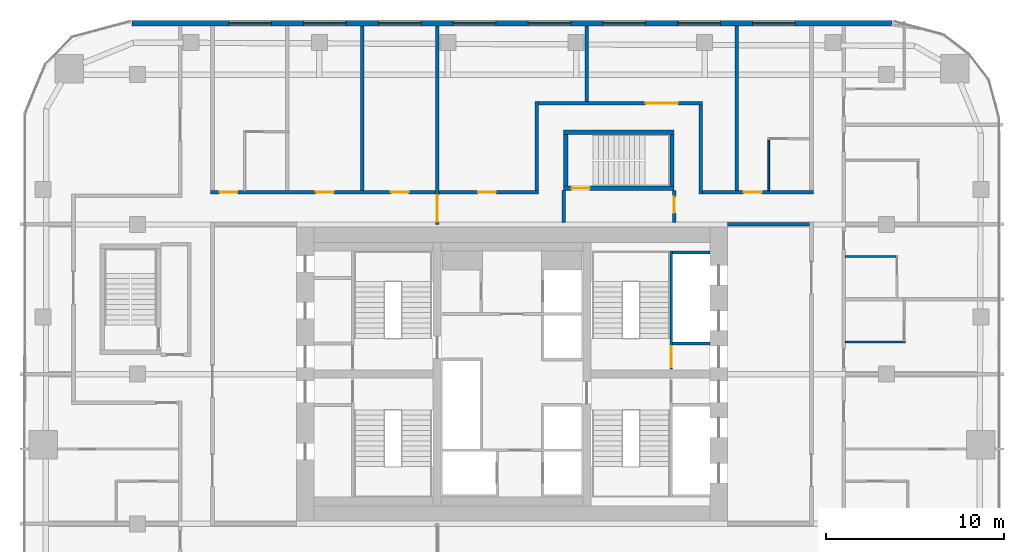
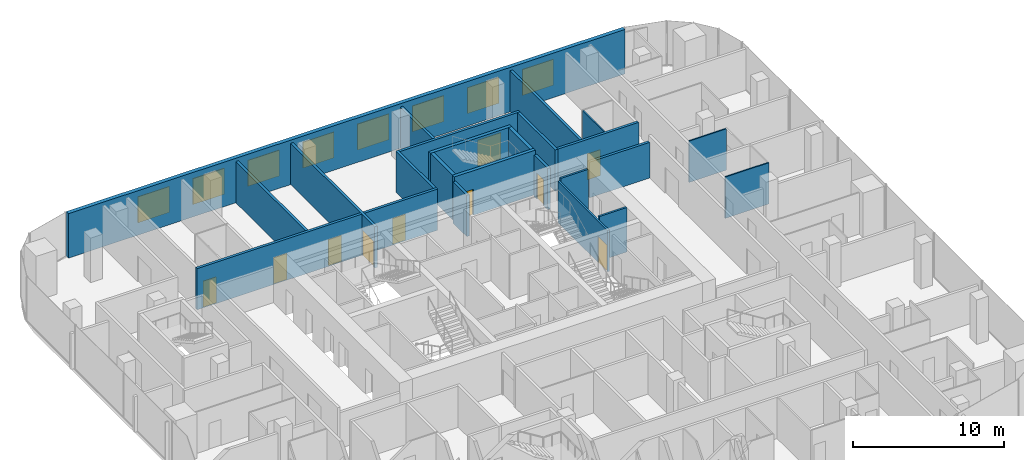
# One storey, part 19 of 23: 23 walls, 10 doors, 8 windows, 18 openings.
"""IFC4 building model written with IfcOpenShell, lengths in metres."""

from ifc_helpers import new_model, si_unit, direction, frame, frame_2d, origin, place, context, subcontext, project, spatial, rectangle, extrude, material, layer, layer_set, type_object, element, fill, save


model = new_model("IFC4")

# Units and contexts
model_context = context("Model", 3, precision=1e-05, world=origin(), true_north=direction((0.0, 1.0)))
body_context = subcontext(model_context, "Body", "Model", "MODEL_VIEW")
ifc_project = project(units=[si_unit("LENGTHUNIT", "METRE"), si_unit("AREAUNIT", "SQUARE_METRE"), si_unit("VOLUMEUNIT", "CUBIC_METRE"), si_unit("PLANEANGLEUNIT", "RADIAN"), si_unit("MASSUNIT", "GRAM", prefix="KILO")], contexts=[model_context])

# Site, building, storey
site_placement = place(None, origin())
site = spatial("IfcSite", under=ifc_project, at=site_placement, CompositionType="ELEMENT")
building_placement = place(site_placement, origin())
building = spatial("IfcBuilding", under=site, at=building_placement, Name="Marenta Gate Hotel Tower", CompositionType="ELEMENT")
storey_placement = place(building_placement, frame((0.0, 0.0, 162.5)))
storey = spatial("IfcBuildingStorey", under=building, at=storey_placement, Name="L38", CompositionType="ELEMENT", Elevation=162.5)

# Wall, openings, windows
ifc_material_1 = material(Name="Concrete C40 board-marked", Category="concrete")
ifc_layer_1 = layer(ifc_material_1, 0.300048828125)
ifc_layer_set_1 = layer_set([ifc_layer_1], Name="Concrete C40 board-marked")
wall_type_1 = type_object("IfcWallType", Name="Board-marked concrete wall 300 mm", PredefinedType="NOTDEFINED", material=ifc_layer_set_1)
wall_1_placement = place(storey_placement, frame((21.305908203125, 28.090087890625, 0.0), z_axis=(0.0, 0.0, 1.0), x_axis=(-1.0, 0.0, 0.0)))
wall_1 = element("IfcWall", 1, at=wall_1_placement, inside=storey, type_object=wall_type_1, Name="L38-CLD-N00", PredefinedType="NOTDEFINED", context=body_context, shape_type="SweptSolid", body=[
    extrude(rectangle(XDim=42.61181640625, YDim=0.300048828125, at=frame_2d((21.305908203125, 0.0))), origin(), (0.0, 0.0, 1.0), 3.60009765625),
])
opening_1_placement = place(wall_1_placement, frame((5.406005859375, 0.0, 0.89990234375)))
opening_1 = element("IfcOpeningElement", 2, at=opening_1_placement, cuts=wall_1, Name="Opening W1", PredefinedType="OPENING", context=body_context, shape_type="SweptSolid", body=[
    extrude(rectangle(XDim=2.39990234375, YDim=2.10009765625, at=frame_2d((1.199951171875, 1.050048828125))), frame((0.0, 0.14990234375, 0.0), z_axis=(0.0, -1.0, 0.0), x_axis=(1.0, 0.0, 0.0)), (0.0, 0.0, 1.0), 0.300048828125),
])
opening_2_placement = place(wall_1_placement, frame((9.60595703125, 0.0, 0.89990234375)))
opening_2 = element("IfcOpeningElement", 3, at=opening_2_placement, cuts=wall_1, Name="Opening W1", PredefinedType="OPENING", context=body_context, shape_type="SweptSolid", body=[
    extrude(rectangle(XDim=2.39990234375, YDim=2.10009765625, at=frame_2d((1.199951171875, 1.050048828125))), frame((0.0, 0.14990234375, 0.0), z_axis=(0.0, -1.0, 0.0), x_axis=(1.0, 0.0, 0.0)), (0.0, 0.0, 1.0), 0.300048828125),
])
opening_3_placement = place(wall_1_placement, frame((13.805908203125, 0.0, 0.89990234375)))
opening_3 = element("IfcOpeningElement", 4, at=opening_3_placement, cuts=wall_1, Name="Opening W1", PredefinedType="OPENING", context=body_context, shape_type="SweptSolid", body=[
    extrude(rectangle(XDim=2.39990234375, YDim=2.10009765625, at=frame_2d((1.199951171875, 1.050048828125))), frame((0.0, 0.14990234375, 0.0), z_axis=(0.0, -1.0, 0.0), x_axis=(1.0, 0.0, 0.0)), (0.0, 0.0, 1.0), 0.300048828125),
])
opening_4_placement = place(wall_1_placement, frame((18.005859375, 0.0, 0.89990234375)))
opening_4 = element("IfcOpeningElement", 5, at=opening_4_placement, cuts=wall_1, Name="Opening W1", PredefinedType="OPENING", context=body_context, shape_type="SweptSolid", body=[
    extrude(rectangle(XDim=2.39990234375, YDim=2.10009765625, at=frame_2d((1.199951171875, 1.050048828125))), frame((0.0, 0.14990234375, 0.0), z_axis=(0.0, -1.0, 0.0), x_axis=(1.0, 0.0, 0.0)), (0.0, 0.0, 1.0), 0.300048828125),
])
opening_5_placement = place(wall_1_placement, frame((22.205810546875, 0.0, 0.89990234375)))
opening_5 = element("IfcOpeningElement", 6, at=opening_5_placement, cuts=wall_1, Name="Opening W1", PredefinedType="OPENING", context=body_context, shape_type="SweptSolid", body=[
    extrude(rectangle(XDim=2.39990234375, YDim=2.10009765625, at=frame_2d((1.199951171875, 1.050048828125))), frame((0.0, 0.14990234375, 0.0), z_axis=(0.0, -1.0, 0.0), x_axis=(1.0, 0.0, 0.0)), (0.0, 0.0, 1.0), 0.300048828125),
])
opening_6_placement = place(wall_1_placement, frame((26.406005859375, 0.0, 0.89990234375)))
opening_6 = element("IfcOpeningElement", 7, at=opening_6_placement, cuts=wall_1, Name="Opening W1", PredefinedType="OPENING", context=body_context, shape_type="SweptSolid", body=[
    extrude(rectangle(XDim=2.39990234375, YDim=2.10009765625, at=frame_2d((1.199951171875, 1.050048828125))), frame((0.0, 0.14990234375, 0.0), z_axis=(0.0, -1.0, 0.0), x_axis=(1.0, 0.0, 0.0)), (0.0, 0.0, 1.0), 0.300048828125),
])
opening_7_placement = place(wall_1_placement, frame((30.60595703125, 0.0, 0.89990234375)))
opening_7 = element("IfcOpeningElement", 8, at=opening_7_placement, cuts=wall_1, Name="Opening W1", PredefinedType="OPENING", context=body_context, shape_type="SweptSolid", body=[
    extrude(rectangle(XDim=2.39990234375, YDim=2.10009765625, at=frame_2d((1.199951171875, 1.050048828125))), frame((0.0, 0.14990234375, 0.0), z_axis=(0.0, -1.0, 0.0), x_axis=(1.0, 0.0, 0.0)), (0.0, 0.0, 1.0), 0.300048828125),
])
opening_8_placement = place(wall_1_placement, frame((34.805908203125, 0.0, 0.89990234375)))
opening_8 = element("IfcOpeningElement", 9, at=opening_8_placement, cuts=wall_1, Name="Opening W1", PredefinedType="OPENING", context=body_context, shape_type="SweptSolid", body=[
    extrude(rectangle(XDim=2.39990234375, YDim=2.10009765625, at=frame_2d((1.199951171875, 1.050048828125))), frame((0.0, 0.14990234375, 0.0), z_axis=(0.0, -1.0, 0.0), x_axis=(1.0, 0.0, 0.0)), (0.0, 0.0, 1.0), 0.300048828125),
])
ifc_material_2 = material(Name="Tinted insulated glass in bronze anodised frame", Category="glass")
window_type = type_object("IfcWindowType", Name="Window W1 2400x2100 bronze frame", PartitioningType="SINGLE_PANEL", PredefinedType="WINDOW", material=ifc_material_2)
window_1_placement = place(opening_1_placement, origin())
window_1 = element("IfcWindow", 10, at=window_1_placement, inside=storey, type_object=window_type, Name="Window W1", OverallHeight=2.10009765625, OverallWidth=2.39990234375, PartitioningType="SINGLE_PANEL", PredefinedType="WINDOW", context=body_context, shape_type="SweptSolid", body=[
    extrude(rectangle(XDim=2.39990234375, YDim=2.10009765625, at=frame_2d((1.199951171875, 1.050048828125))), frame((0.0, 0.030029296875, 0.0), z_axis=(0.0, -1.0, 0.0), x_axis=(1.0, 0.0, 0.0)), (0.0, 0.0, 1.0), 0.06005859375),
])
fill(opening_1, window_1)
window_2_placement = place(opening_2_placement, origin())
window_2 = element("IfcWindow", 11, at=window_2_placement, inside=storey, type_object=window_type, Name="Window W1", OverallHeight=2.10009765625, OverallWidth=2.39990234375, PartitioningType="SINGLE_PANEL", PredefinedType="WINDOW", context=body_context, shape_type="SweptSolid", body=[
    extrude(rectangle(XDim=2.39990234375, YDim=2.10009765625, at=frame_2d((1.199951171875, 1.050048828125))), frame((0.0, 0.030029296875, 0.0), z_axis=(0.0, -1.0, 0.0), x_axis=(1.0, 0.0, 0.0)), (0.0, 0.0, 1.0), 0.06005859375),
])
fill(opening_2, window_2)
window_3_placement = place(opening_3_placement, origin())
window_3 = element("IfcWindow", 12, at=window_3_placement, inside=storey, type_object=window_type, Name="Window W1", OverallHeight=2.10009765625, OverallWidth=2.39990234375, PartitioningType="SINGLE_PANEL", PredefinedType="WINDOW", context=body_context, shape_type="SweptSolid", body=[
    extrude(rectangle(XDim=2.39990234375, YDim=2.10009765625, at=frame_2d((1.199951171875, 1.050048828125))), frame((0.0, 0.030029296875, 0.0), z_axis=(0.0, -1.0, 0.0), x_axis=(1.0, 0.0, 0.0)), (0.0, 0.0, 1.0), 0.06005859375),
])
fill(opening_3, window_3)
window_4_placement = place(opening_4_placement, origin())
window_4 = element("IfcWindow", 13, at=window_4_placement, inside=storey, type_object=window_type, Name="Window W1", OverallHeight=2.10009765625, OverallWidth=2.39990234375, PartitioningType="SINGLE_PANEL", PredefinedType="WINDOW", context=body_context, shape_type="SweptSolid", body=[
    extrude(rectangle(XDim=2.39990234375, YDim=2.10009765625, at=frame_2d((1.199951171875, 1.050048828125))), frame((0.0, 0.030029296875, 0.0), z_axis=(0.0, -1.0, 0.0), x_axis=(1.0, 0.0, 0.0)), (0.0, 0.0, 1.0), 0.06005859375),
])
fill(opening_4, window_4)
window_5_placement = place(opening_5_placement, origin())
window_5 = element("IfcWindow", 14, at=window_5_placement, inside=storey, type_object=window_type, Name="Window W1", OverallHeight=2.10009765625, OverallWidth=2.39990234375, PartitioningType="SINGLE_PANEL", PredefinedType="WINDOW", context=body_context, shape_type="SweptSolid", body=[
    extrude(rectangle(XDim=2.39990234375, YDim=2.10009765625, at=frame_2d((1.199951171875, 1.050048828125))), frame((0.0, 0.030029296875, 0.0), z_axis=(0.0, -1.0, 0.0), x_axis=(1.0, 0.0, 0.0)), (0.0, 0.0, 1.0), 0.06005859375),
])
fill(opening_5, window_5)
window_6_placement = place(opening_6_placement, origin())
window_6 = element("IfcWindow", 15, at=window_6_placement, inside=storey, type_object=window_type, Name="Window W1", OverallHeight=2.10009765625, OverallWidth=2.39990234375, PartitioningType="SINGLE_PANEL", PredefinedType="WINDOW", context=body_context, shape_type="SweptSolid", body=[
    extrude(rectangle(XDim=2.39990234375, YDim=2.10009765625, at=frame_2d((1.199951171875, 1.050048828125))), frame((0.0, 0.030029296875, 0.0), z_axis=(0.0, -1.0, 0.0), x_axis=(1.0, 0.0, 0.0)), (0.0, 0.0, 1.0), 0.06005859375),
])
fill(opening_6, window_6)
window_7_placement = place(opening_7_placement, origin())
window_7 = element("IfcWindow", 16, at=window_7_placement, inside=storey, type_object=window_type, Name="Window W1", OverallHeight=2.10009765625, OverallWidth=2.39990234375, PartitioningType="SINGLE_PANEL", PredefinedType="WINDOW", context=body_context, shape_type="SweptSolid", body=[
    extrude(rectangle(XDim=2.39990234375, YDim=2.10009765625, at=frame_2d((1.199951171875, 1.050048828125))), frame((0.0, 0.030029296875, 0.0), z_axis=(0.0, -1.0, 0.0), x_axis=(1.0, 0.0, 0.0)), (0.0, 0.0, 1.0), 0.06005859375),
])
fill(opening_7, window_7)
window_8_placement = place(opening_8_placement, origin())
window_8 = element("IfcWindow", 17, at=window_8_placement, inside=storey, type_object=window_type, Name="Window W1", OverallHeight=2.10009765625, OverallWidth=2.39990234375, PartitioningType="SINGLE_PANEL", PredefinedType="WINDOW", context=body_context, shape_type="SweptSolid", body=[
    extrude(rectangle(XDim=2.39990234375, YDim=2.10009765625, at=frame_2d((1.199951171875, 1.050048828125))), frame((0.0, 0.030029296875, 0.0), z_axis=(0.0, -1.0, 0.0), x_axis=(1.0, 0.0, 0.0)), (0.0, 0.0, 1.0), 0.06005859375),
])
fill(opening_8, window_8)

# Wall, opening, door
ifc_material_3 = material(Name="Concrete blockwork", Category="masonry")
ifc_layer_2 = layer(ifc_material_3, 0.199951171875)
ifc_layer_set_2 = layer_set([ifc_layer_2], Name="Concrete blockwork")
wall_type_2 = type_object("IfcWallType", Name="Compartment wall 200 REI 180", PredefinedType="PARTITIONING", material=ifc_layer_set_2)
wall_2_placement = place(storey_placement, frame((-4.199951171875, 16.800048828125, 0.0), z_axis=(0.0, 0.0, 1.0), x_axis=(0.0, 1.0, 0.0)))
wall_2 = element("IfcWall", 18, at=wall_2_placement, inside=storey, type_object=wall_type_2, Name="L38-PTN-W073", PredefinedType="PARTITIONING", context=body_context, shape_type="SweptSolid", body=[
    extrude(rectangle(XDim=11.139892578125, YDim=0.199951171875, at=frame_2d((5.56982421875, 0.0))), origin(), (0.0, 0.0, 1.0), 3.340087890625),
])
opening_9_placement = place(wall_2_placement, frame((0.14990234375, 0.0, 0.0)))
opening_9 = element("IfcOpeningElement", 19, at=opening_9_placement, cuts=wall_2, Name="Opening G14-FD1", PredefinedType="OPENING", context=body_context, shape_type="SweptSolid", body=[
    extrude(rectangle(XDim=1.5, YDim=2.10009765625, at=frame_2d((0.75, 1.050048828125))), frame((0.0, 0.10009765625, 0.0), z_axis=(0.0, -1.0, 0.0), x_axis=(1.0, 0.0, 0.0)), (0.0, 0.0, 1.0), 0.199951171875),
])
ifc_material_4 = material(Name="Hollow steel door set", Category="steel")
door_type_1 = type_object("IfcDoorType", Name="Compartment fire door 1500x2100 EI 60", OperationType="DOUBLE_DOOR_DOUBLE_SWING", PredefinedType="DOOR", material=ifc_material_4)
door_1_placement = place(opening_9_placement, origin())
door_1 = element("IfcDoor", 20, at=door_1_placement, inside=storey, type_object=door_type_1, Name="L38-PD-FD01", OperationType="DOUBLE_DOOR_DOUBLE_SWING", OverallHeight=2.10009765625, OverallWidth=1.5, PredefinedType="DOOR", context=body_context, shape_type="SweptSolid", body=[
    extrude(rectangle(XDim=1.5, YDim=2.10009765625, at=frame_2d((0.75, 1.050048828125))), frame((0.0, 0.02490234375, 0.0), z_axis=(0.0, -1.0, 0.0), x_axis=(1.0, 0.0, 0.0)), (0.0, 0.0, 1.0), 0.050048828125),
])
fill(opening_9, door_1)

# Walls
ifc_material_5 = material(Name="Concrete blockwork", Category="masonry")
ifc_layer_3 = layer(ifc_material_5, 0.199951171875)
ifc_layer_set_3 = layer_set([ifc_layer_3], Name="Concrete blockwork")
wall_type_3 = type_object("IfcWallType", Name="Core boundary wall 200 REI 180", PredefinedType="PARTITIONING", material=ifc_layer_set_3)
wall_3_placement = place(storey_placement, frame((12.10009765625, 16.800048828125, 0.0), z_axis=(0.0, 0.0, 1.0), x_axis=(1.0, 0.0, 0.0)))
element("IfcWall", 21, at=wall_3_placement, inside=storey, type_object=wall_type_3, Name="L38-CP-EW-EN", PredefinedType="PARTITIONING", context=body_context, shape_type="SweptSolid", body=[
    extrude(rectangle(XDim=4.599853515625, YDim=0.199951171875, at=frame_2d((2.2998046875, 0.0))), origin(), (0.0, 0.0, 1.0), 2.889892578125),
])
ifc_material_6 = material(Name="Concrete C40", Category="concrete")
ifc_layer_4 = layer(ifc_material_6, 0.14990234375)
ifc_layer_set_4 = layer_set([ifc_layer_4], Name="Concrete C40")
wall_type_4 = type_object("IfcWallType", Name="Core shaft wall 150 REI 180", PredefinedType="SHEAR", material=ifc_layer_set_4)
for number, where, z_axis, x_axis, name in (
    (22, (9.0, 10.125, 0.0), (0.0, 0.0, 1.0), (1.0, 0.0, 0.0), "L38-SHF-SW-EN-2"),
    (23, (9.0, 15.22509765625, 0.0), (0.0, 0.0, 1.0), (1.0, 0.0, 0.0), "L38-SHF-SW-EN-5"),
):
    element("IfcWall", number, at=place(storey_placement, frame(where, z_axis=z_axis, x_axis=x_axis)), inside=storey, type_object=wall_type_4, Name=name, PredefinedType="SHEAR", context=body_context, shape_type="SweptSolid", body=[
        extrude(rectangle(XDim=2.10009765625, YDim=0.14990234375, at=frame_2d((1.050048828125, 0.0))), origin(), (0.0, 0.0, 1.0), 3.60009765625),
    ])

# Wall, opening, door
ifc_material_7 = material(Name="Concrete C40", Category="concrete")
ifc_layer_5 = layer(ifc_material_7, 0.14990234375)
ifc_layer_set_5 = layer_set([ifc_layer_5], Name="Concrete C40")
wall_type_5 = type_object("IfcWallType", Name="Core stair enclosure wall 150 REI 180", PredefinedType="SHEAR", material=ifc_layer_set_5)
wall_4_placement = place(storey_placement, frame((8.925048828125, 8.699951171875, 0.0), z_axis=(0.0, 0.0, 1.0), x_axis=(0.0, 1.0, 0.0)))
wall_4 = element("IfcWall", 24, at=wall_4_placement, inside=storey, type_object=wall_type_5, Name="L38-SHF-SW-EN-3", PredefinedType="SHEAR", context=body_context, shape_type="SweptSolid", body=[
    extrude(rectangle(XDim=6.60009765625, YDim=0.14990234375, at=frame_2d((3.300048828125, 0.0))), origin(), (0.0, 0.0, 1.0), 3.340087890625),
])
opening_10_placement = place(wall_4_placement, frame((0.074951171875, 0.0, 0.0)))
opening_10 = element("IfcOpeningElement", 25, at=opening_10_placement, cuts=wall_4, Name="Opening SD-EN", PredefinedType="OPENING", context=body_context, shape_type="SweptSolid", body=[
    extrude(rectangle(XDim=1.199951171875, YDim=2.10009765625, at=frame_2d((0.60009765625, 1.050048828125))), frame((0.0, 0.074951171875, 0.0), z_axis=(0.0, -1.0, 0.0), x_axis=(1.0, 0.0, 0.0)), (0.0, 0.0, 1.0), 0.14990234375),
])
ifc_material_8 = material(Name="Steel", Category="steel")
door_type_2 = type_object("IfcDoorType", Name="Core stair door 1200x2100 FD60", OperationType="SINGLE_SWING_LEFT", PredefinedType="DOOR", material=ifc_material_8)
door_2_placement = place(opening_10_placement, origin())
door_2 = element("IfcDoor", 26, at=door_2_placement, inside=storey, type_object=door_type_2, Name="SD-EN", OperationType="SINGLE_SWING_LEFT", OverallHeight=2.10009765625, OverallWidth=1.199951171875, PredefinedType="DOOR", context=body_context, shape_type="SweptSolid", body=[
    extrude(rectangle(XDim=1.199951171875, YDim=2.10009765625, at=frame_2d((0.60009765625, 1.050048828125))), frame((0.0, 0.02490234375, 0.0), z_axis=(0.0, -1.0, 0.0), x_axis=(1.0, 0.0, 0.0)), (0.0, 0.0, 1.0), 0.050048828125),
])
fill(opening_10, door_2)

ifc_material_9 = material(Name="Concrete C40", Category="concrete")
ifc_layer_6 = layer(ifc_material_9, 0.25)
ifc_layer_set_6 = layer_set([ifc_layer_6], Name="Concrete C40")
wall_type_6 = type_object("IfcWallType", Name="Remote stair enclosure wall 250 REI 180", PredefinedType="SHEAR", material=ifc_layer_set_6)
wall_5_placement = place(storey_placement, frame((2.89990234375, 18.824951171875, 0.10009765625), z_axis=(0.0, 0.0, 1.0), x_axis=(1.0, 0.0, 0.0)))
wall_5 = element("IfcWall", 27, at=wall_5_placement, inside=storey, type_object=wall_type_6, Name="L38-RS-Z2-4-W1", PredefinedType="SHEAR", context=body_context, shape_type="SweptSolid", body=[
    extrude(rectangle(XDim=6.2001953125, YDim=0.25, at=frame_2d((3.10009765625, 0.0))), origin(), (0.0, 0.0, 1.0), 3.599853515625),
])
opening_11_placement = place(wall_5_placement, frame((0.449951171875, 0.0, 0.0)))
opening_11 = element("IfcOpeningElement", 28, at=opening_11_placement, cuts=wall_5, Name="Opening VD", PredefinedType="OPENING", context=body_context, shape_type="SweptSolid", body=[
    extrude(rectangle(XDim=1.0, YDim=2.10009765625, at=frame_2d((0.5, 1.050048828125))), frame((0.0, 0.125, 0.0), z_axis=(0.0, -1.0, 0.0), x_axis=(1.0, 0.0, 0.0)), (0.0, 0.0, 1.0), 0.25),
])
ifc_material_10 = material(Name="Steel", Category="steel")
door_type_3 = type_object("IfcDoorType", Name="Stair vestibule door 1000x2100 FD60", OperationType="SINGLE_SWING_LEFT", PredefinedType="DOOR", material=ifc_material_10)
door_3_placement = place(opening_11_placement, origin())
door_3 = element("IfcDoor", 29, at=door_3_placement, inside=storey, type_object=door_type_3, Name="VD", OperationType="SINGLE_SWING_LEFT", OverallHeight=2.10009765625, OverallWidth=1.0, PredefinedType="DOOR", context=body_context, shape_type="SweptSolid", body=[
    extrude(rectangle(XDim=1.0, YDim=2.10009765625, at=frame_2d((0.5, 1.050048828125))), frame((0.0, 0.02490234375, 0.0), z_axis=(0.0, -1.0, 0.0), x_axis=(1.0, 0.0, 0.0)), (0.0, 0.0, 1.0), 0.050048828125),
])
fill(opening_11, door_3)

# Walls
wall_6_placement = place(storey_placement, frame((2.89990234375, 21.97509765625, 0.10009765625), z_axis=(0.0, 0.0, 1.0), x_axis=(1.0, 0.0, 0.0)))
element("IfcWall", 30, at=wall_6_placement, inside=storey, type_object=wall_type_6, Name="L38-RS-Z2-4-W2", PredefinedType="SHEAR", context=body_context, shape_type="SweptSolid", body=[
    extrude(rectangle(XDim=6.2001953125, YDim=0.25, at=frame_2d((3.10009765625, 0.0))), origin(), (0.0, 0.0, 1.0), 3.599853515625),
])
for number, where, z_axis, x_axis, name in (
    (31, (3.02490234375, 18.949951171875, 0.10009765625), (0.0, 0.0, 1.0), (0.0, 1.0, 0.0), "L38-RS-Z2-4-W3"),
    (32, (8.97509765625, 18.949951171875, 0.10009765625), (0.0, 0.0, 1.0), (0.0, 1.0, 0.0), "L38-RS-Z2-4-W4"),
):
    element("IfcWall", number, at=place(storey_placement, frame(where, z_axis=z_axis, x_axis=x_axis)), inside=storey, type_object=wall_type_6, Name=name, PredefinedType="SHEAR", context=body_context, shape_type="SweptSolid", body=[
        extrude(rectangle(XDim=2.900146484375, YDim=0.25, at=frame_2d((1.4501953125, 0.0))), origin(), (0.0, 0.0, 1.0), 3.599853515625),
    ])
ifc_material_11 = material(Name="Gypsum board on steel stud", Category="steel")
ifc_layer_7 = layer(ifc_material_11, 0.199951171875)
ifc_layer_set_7 = layer_set([ifc_layer_7], Name="Gypsum board on steel stud")
wall_type_7 = type_object("IfcWallType", Name="Room corridor wall 200 EI 60", PredefinedType="PARTITIONING", material=ifc_layer_set_7)
for number, where, z_axis, x_axis, name in (
    (33, (10.60009765625, 18.5, 0.0), (0.0, 0.0, 1.0), (0.0, 1.0, 0.0), "L38-PTN-W036"),
    (34, (1.39990234375, 18.699951171875, 0.0), (0.0, 0.0, 1.0), (0.0, 1.0, 0.0), "L38-PTN-W064"),
):
    element("IfcWall", number, at=place(storey_placement, frame(where, z_axis=z_axis, x_axis=x_axis)), inside=storey, type_object=wall_type_7, Name=name, PredefinedType="PARTITIONING", context=body_context, shape_type="SweptSolid", body=[
        extrude(rectangle(XDim=5.0, YDim=0.199951171875, at=frame_2d((2.5, 0.0))), origin(), (0.0, 0.0, 1.0), 3.340087890625),
    ])

# Wall, openings, doors
wall_7_placement = place(storey_placement, frame((-16.89990234375, 18.60009765625, 0.0), z_axis=(0.0, 0.0, 1.0), x_axis=(1.0, 0.0, 0.0)))
wall_7 = element("IfcWall", 35, at=wall_7_placement, inside=storey, type_object=wall_type_7, Name="L38-PTN-W105", PredefinedType="PARTITIONING", context=body_context, shape_type="SweptSolid", body=[
    extrude(rectangle(XDim=18.39990234375, YDim=0.199951171875, at=frame_2d((9.199951171875, 0.0))), origin(), (0.0, 0.0, 1.0), 3.340087890625),
])
opening_12_placement = place(wall_7_placement, frame((0.5, 0.0, 0.0)))
opening_12 = element("IfcOpeningElement", 36, at=opening_12_placement, cuts=wall_7, Name="Opening G14-25", PredefinedType="OPENING", context=body_context, shape_type="SweptSolid", body=[
    extrude(rectangle(XDim=1.0, YDim=2.10009765625, at=frame_2d((0.5, 1.050048828125))), frame((0.0, 0.10009765625, 0.0), z_axis=(0.0, -1.0, 0.0), x_axis=(1.0, 0.0, 0.0)), (0.0, 0.0, 1.0), 0.199951171875),
])
opening_13_placement = place(wall_7_placement, frame((15.0, 0.0, 0.0)))
opening_13 = element("IfcOpeningElement", 37, at=opening_13_placement, cuts=wall_7, Name="Opening G14-59", PredefinedType="OPENING", context=body_context, shape_type="SweptSolid", body=[
    extrude(rectangle(XDim=1.0, YDim=2.10009765625, at=frame_2d((0.5, 1.050048828125))), frame((0.0, 0.10009765625, 0.0), z_axis=(0.0, -1.0, 0.0), x_axis=(1.0, 0.0, 0.0)), (0.0, 0.0, 1.0), 0.199951171875),
])
opening_14_placement = place(wall_7_placement, frame((5.89990234375, 0.0, 0.0)))
opening_14 = element("IfcOpeningElement", 38, at=opening_14_placement, cuts=wall_7, Name="Opening G14-62", PredefinedType="OPENING", context=body_context, shape_type="SweptSolid", body=[
    extrude(rectangle(XDim=1.0, YDim=2.10009765625, at=frame_2d((0.5, 1.050048828125))), frame((0.0, 0.10009765625, 0.0), z_axis=(0.0, -1.0, 0.0), x_axis=(1.0, 0.0, 0.0)), (0.0, 0.0, 1.0), 0.199951171875),
])
opening_15_placement = place(wall_7_placement, frame((10.10009765625, 0.0, 0.0)))
opening_15 = element("IfcOpeningElement", 39, at=opening_15_placement, cuts=wall_7, Name="Opening G14-63", PredefinedType="OPENING", context=body_context, shape_type="SweptSolid", body=[
    extrude(rectangle(XDim=1.0, YDim=2.10009765625, at=frame_2d((0.5, 1.050048828125))), frame((0.0, 0.10009765625, 0.0), z_axis=(0.0, -1.0, 0.0), x_axis=(1.0, 0.0, 0.0)), (0.0, 0.0, 1.0), 0.199951171875),
])
ifc_material_12 = material(Name="Timber door leaf", Category="wood")
door_type_4 = type_object("IfcDoorType", Name="Guest room door 1000x2100 EI 30", OperationType="NOTDEFINED", PredefinedType="DOOR", material=ifc_material_12)
door_4_placement = place(opening_12_placement, origin())
door_4 = element("IfcDoor", 40, at=door_4_placement, inside=storey, type_object=door_type_4, Name="L38-PD-D025", OperationType="SINGLE_SWING_RIGHT", OverallHeight=2.10009765625, OverallWidth=1.0, PredefinedType="DOOR", context=body_context, shape_type="SweptSolid", body=[
    extrude(rectangle(XDim=1.0, YDim=2.10009765625, at=frame_2d((0.5, 1.050048828125))), frame((0.0, 0.02490234375, 0.0), z_axis=(0.0, -1.0, 0.0), x_axis=(1.0, 0.0, 0.0)), (0.0, 0.0, 1.0), 0.050048828125),
])
fill(opening_12, door_4)
ifc_material_13 = material(Name="Timber door leaf", Category="wood")
door_type_5 = type_object("IfcDoorType", Name="Room amenity door 1000x2100 EI 30", OperationType="NOTDEFINED", PredefinedType="DOOR", material=ifc_material_13)
door_5_placement = place(opening_13_placement, origin())
door_5 = element("IfcDoor", 41, at=door_5_placement, inside=storey, type_object=door_type_5, Name="L38-PD-D059", OperationType="SINGLE_SWING_RIGHT", OverallHeight=2.10009765625, OverallWidth=1.0, PredefinedType="DOOR", context=body_context, shape_type="SweptSolid", body=[
    extrude(rectangle(XDim=1.0, YDim=2.10009765625, at=frame_2d((0.5, 1.050048828125))), frame((0.0, 0.02490234375, 0.0), z_axis=(0.0, -1.0, 0.0), x_axis=(1.0, 0.0, 0.0)), (0.0, 0.0, 1.0), 0.050048828125),
])
fill(opening_13, door_5)
door_6_placement = place(opening_14_placement, origin())
door_6 = element("IfcDoor", 42, at=door_6_placement, inside=storey, type_object=door_type_5, Name="L38-PD-D062", OperationType="SINGLE_SWING_LEFT", OverallHeight=2.10009765625, OverallWidth=1.0, PredefinedType="DOOR", context=body_context, shape_type="SweptSolid", body=[
    extrude(rectangle(XDim=1.0, YDim=2.10009765625, at=frame_2d((0.5, 1.050048828125))), frame((0.0, 0.02490234375, 0.0), z_axis=(0.0, -1.0, 0.0), x_axis=(1.0, 0.0, 0.0)), (0.0, 0.0, 1.0), 0.050048828125),
])
fill(opening_14, door_6)
door_7_placement = place(opening_15_placement, origin())
door_7 = element("IfcDoor", 43, at=door_7_placement, inside=storey, type_object=door_type_5, Name="L38-PD-D063", OperationType="SINGLE_SWING_RIGHT", OverallHeight=2.10009765625, OverallWidth=1.0, PredefinedType="DOOR", context=body_context, shape_type="SweptSolid", body=[
    extrude(rectangle(XDim=1.0, YDim=2.10009765625, at=frame_2d((0.5, 1.050048828125))), frame((0.0, 0.02490234375, 0.0), z_axis=(0.0, -1.0, 0.0), x_axis=(1.0, 0.0, 0.0)), (0.0, 0.0, 1.0), 0.050048828125),
])
fill(opening_15, door_7)

# Wall, opening, door
wall_8_placement = place(storey_placement, frame((10.699951171875, 18.60009765625, 0.0), z_axis=(0.0, 0.0, 1.0), x_axis=(1.0, 0.0, 0.0)))
wall_8 = element("IfcWall", 44, at=wall_8_placement, inside=storey, type_object=wall_type_7, Name="L38-PTN-W106", PredefinedType="PARTITIONING", context=body_context, shape_type="SweptSolid", body=[
    extrude(rectangle(XDim=6.199951171875, YDim=0.199951171875, at=frame_2d((3.10009765625, 0.0))), origin(), (0.0, 0.0, 1.0), 3.340087890625),
])
opening_16_placement = place(wall_8_placement, frame((2.300048828125, 0.0, 0.0)))
opening_16 = element("IfcOpeningElement", 45, at=opening_16_placement, cuts=wall_8, Name="Opening G14-28", PredefinedType="OPENING", context=body_context, shape_type="SweptSolid", body=[
    extrude(rectangle(XDim=1.0, YDim=2.10009765625, at=frame_2d((0.5, 1.050048828125))), frame((0.0, 0.10009765625, 0.0), z_axis=(0.0, -1.0, 0.0), x_axis=(1.0, 0.0, 0.0)), (0.0, 0.0, 1.0), 0.199951171875),
])
door_8_placement = place(opening_16_placement, origin())
door_8 = element("IfcDoor", 46, at=door_8_placement, inside=storey, type_object=door_type_4, Name="L38-PD-D028", OperationType="SINGLE_SWING_LEFT", OverallHeight=2.10009765625, OverallWidth=1.0, PredefinedType="DOOR", context=body_context, shape_type="SweptSolid", body=[
    extrude(rectangle(XDim=1.0, YDim=2.10009765625, at=frame_2d((0.5, 1.050048828125))), frame((0.0, 0.02490234375, 0.0), z_axis=(0.0, -1.0, 0.0), x_axis=(1.0, 0.0, 0.0)), (0.0, 0.0, 1.0), 0.050048828125),
])
fill(opening_16, door_8)

wall_9_placement = place(storey_placement, frame((1.5, 23.60009765625, 0.0), z_axis=(0.0, 0.0, 1.0), x_axis=(1.0, 0.0, 0.0)))
wall_9 = element("IfcWall", 47, at=wall_9_placement, inside=storey, type_object=wall_type_7, Name="L38-PTN-W114", PredefinedType="PARTITIONING", context=body_context, shape_type="SweptSolid", body=[
    extrude(rectangle(XDim=9.199951171875, YDim=0.199951171875, at=frame_2d((4.60009765625, 0.0))), origin(), (0.0, 0.0, 1.0), 3.340087890625),
])
opening_17_placement = place(wall_9_placement, frame((6.0, 0.0, 0.0)))
opening_17 = element("IfcOpeningElement", 48, at=opening_17_placement, cuts=wall_9, Name="Opening G14-27", PredefinedType="OPENING", context=body_context, shape_type="SweptSolid", body=[
    extrude(rectangle(XDim=1.800048828125, YDim=2.10009765625, at=frame_2d((0.89990234375, 1.050048828125))), frame((0.0, 0.10009765625, 0.0), z_axis=(0.0, -1.0, 0.0), x_axis=(1.0, 0.0, 0.0)), (0.0, 0.0, 1.0), 0.199951171875),
])
ifc_material_14 = material(Name="Timber door leaf", Category="wood")
door_type_6 = type_object("IfcDoorType", Name="Room amenity door 1800x2100 EI 30", OperationType="DOUBLE_DOOR_SINGLE_SWING", PredefinedType="DOOR", material=ifc_material_14)
door_9_placement = place(opening_17_placement, origin())
door_9 = element("IfcDoor", 49, at=door_9_placement, inside=storey, type_object=door_type_6, Name="L38-PD-D027", OperationType="DOUBLE_DOOR_SINGLE_SWING", OverallHeight=2.10009765625, OverallWidth=1.800048828125, PredefinedType="DOOR", context=body_context, shape_type="SweptSolid", body=[
    extrude(rectangle(XDim=1.800048828125, YDim=2.10009765625, at=frame_2d((0.89990234375, 1.050048828125))), frame((0.0, 0.02490234375, 0.0), z_axis=(0.0, -1.0, 0.0), x_axis=(1.0, 0.0, 0.0)), (0.0, 0.0, 1.0), 0.050048828125),
])
fill(opening_17, door_9)

ifc_material_15 = material(Name="Concrete blockwork", Category="masonry")
ifc_layer_8 = layer(ifc_material_15, 0.199951171875)
ifc_layer_set_8 = layer_set([ifc_layer_8], Name="Concrete blockwork")
wall_type_8 = type_object("IfcWallType", Name="Room corridor wall 200 REI 180", PredefinedType="PARTITIONING", material=ifc_layer_set_8)
wall_10_placement = place(storey_placement, frame((9.10009765625, 16.89990234375, 0.0), z_axis=(0.0, 0.0, 1.0), x_axis=(0.0, 1.0, 0.0)))
wall_10 = element("IfcWall", 50, at=wall_10_placement, inside=storey, type_object=wall_type_8, Name="L38-PTN-W037", PredefinedType="PARTITIONING", context=body_context, shape_type="SweptSolid", body=[
    extrude(rectangle(XDim=1.800048828125, YDim=0.199951171875, at=frame_2d((0.89990234375, 0.0))), origin(), (0.0, 0.0, 1.0), 3.340087890625),
])
opening_18_placement = place(wall_10_placement, frame((0.550048828125, 0.0, 0.0)))
opening_18 = element("IfcOpeningElement", 51, at=opening_18_placement, cuts=wall_10, Name="Opening G14-58", PredefinedType="OPENING", context=body_context, shape_type="SweptSolid", body=[
    extrude(rectangle(XDim=0.89990234375, YDim=2.10009765625, at=frame_2d((0.449951171875, 1.050048828125))), frame((0.0, 0.10009765625, 0.0), z_axis=(0.0, -1.0, 0.0), x_axis=(1.0, 0.0, 0.0)), (0.0, 0.0, 1.0), 0.199951171875),
])
ifc_material_16 = material(Name="Hollow steel door set", Category="steel")
door_type_7 = type_object("IfcDoorType", Name="Stair vestibule door 900x2100 EI 60", OperationType="NOTDEFINED", PredefinedType="DOOR", material=ifc_material_16)
door_10_placement = place(opening_18_placement, origin())
door_10 = element("IfcDoor", 52, at=door_10_placement, inside=storey, type_object=door_type_7, Name="L38-PD-D058", OperationType="SINGLE_SWING_RIGHT", OverallHeight=2.10009765625, OverallWidth=0.89990234375, PredefinedType="DOOR", context=body_context, shape_type="SweptSolid", body=[
    extrude(rectangle(XDim=0.89990234375, YDim=2.10009765625, at=frame_2d((0.449951171875, 1.050048828125))), frame((0.0, 0.02490234375, 0.0), z_axis=(0.0, -1.0, 0.0), x_axis=(1.0, 0.0, 0.0)), (0.0, 0.0, 1.0), 0.050048828125),
])
fill(opening_18, door_10)

# Walls
wall_11_placement = place(storey_placement, frame((2.89990234375, 16.89990234375, 0.0), z_axis=(0.0, 0.0, 1.0), x_axis=(0.0, 1.0, 0.0)))
element("IfcWall", 53, at=wall_11_placement, inside=storey, type_object=wall_type_8, Name="L38-PTN-W058", PredefinedType="PARTITIONING", context=body_context, shape_type="SweptSolid", body=[
    extrude(rectangle(XDim=1.800048828125, YDim=0.199951171875, at=frame_2d((0.89990234375, 0.0))), origin(), (0.0, 0.0, 1.0), 3.340087890625),
])
ifc_material_17 = material(Name="Gypsum board on steel stud", Category="steel")
ifc_layer_9 = layer(ifc_material_17, 0.10009765625)
ifc_layer_set_9 = layer_set([ifc_layer_9], Name="Gypsum board on steel stud")
wall_type_9 = type_object("IfcWallType", Name="Room partition 100", PredefinedType="PARTITIONING", material=ifc_layer_set_9)
wall_12_placement = place(storey_placement, frame((14.39990234375, 18.699951171875, 0.0), z_axis=(0.0, 0.0, 1.0), x_axis=(0.0, 1.0, 0.0)))
element("IfcWall", 54, at=wall_12_placement, inside=storey, type_object=wall_type_9, Name="L38-PTN-W024", PredefinedType="PARTITIONING", context=body_context, shape_type="SweptSolid", body=[
    extrude(rectangle(XDim=2.85009765625, YDim=0.10009765625, at=frame_2d((1.425048828125, 0.0))), origin(), (0.0, 0.0, 1.0), 3.340087890625),
])
wall_13_placement = place(storey_placement, frame((18.699951171875, 10.199951171875, 0.0), z_axis=(0.0, 0.0, 1.0), x_axis=(1.0, 0.0, 0.0)))
element("IfcWall", 55, at=wall_13_placement, inside=storey, type_object=wall_type_9, Name="L38-PTN-W086", PredefinedType="PARTITIONING", context=body_context, shape_type="SweptSolid", body=[
    extrude(rectangle(XDim=3.35009765625, YDim=0.10009765625, at=frame_2d((1.675048828125, 0.0))), origin(), (0.0, 0.0, 1.0), 3.340087890625),
])
wall_14_placement = place(storey_placement, frame((18.699951171875, 15.0, 0.0), z_axis=(0.0, 0.0, 1.0), x_axis=(1.0, 0.0, 0.0)))
element("IfcWall", 56, at=wall_14_placement, inside=storey, type_object=wall_type_9, Name="L38-PTN-W094", PredefinedType="PARTITIONING", context=body_context, shape_type="SweptSolid", body=[
    extrude(rectangle(XDim=2.85009765625, YDim=0.10009765625, at=frame_2d((1.425048828125, 0.0))), origin(), (0.0, 0.0, 1.0), 3.340087890625),
])
ifc_material_18 = material(Name="Gypsum board on steel stud", Category="steel")
ifc_layer_10 = layer(ifc_material_18, 0.199951171875)
ifc_layer_set_10 = layer_set([ifc_layer_10], Name="Gypsum board on steel stud")
wall_type_10 = type_object("IfcWallType", Name="Room party wall 200 EI 60", PredefinedType="PARTITIONING", material=ifc_layer_set_10)
wall_15_placement = place(storey_placement, frame((12.60009765625, 18.699951171875, 0.0), z_axis=(0.0, 0.0, 1.0), x_axis=(0.0, 1.0, 0.0)))
element("IfcWall", 57, at=wall_15_placement, inside=storey, type_object=wall_type_10, Name="L38-PTN-W032", PredefinedType="PARTITIONING", context=body_context, shape_type="SweptSolid", body=[
    extrude(rectangle(XDim=9.239990234375, YDim=0.199951171875, at=frame_2d((4.6201171875, 0.0))), origin(), (0.0, 0.0, 1.0), 3.340087890625),
])
wall_16_placement = place(storey_placement, frame((4.199951171875, 23.699951171875, 0.0), z_axis=(0.0, 0.0, 1.0), x_axis=(0.0, 1.0, 0.0)))
element("IfcWall", 58, at=wall_16_placement, inside=storey, type_object=wall_type_10, Name="L38-PTN-W056", PredefinedType="PARTITIONING", context=body_context, shape_type="SweptSolid", body=[
    extrude(rectangle(XDim=4.239990234375, YDim=0.199951171875, at=frame_2d((2.1201171875, 0.0))), origin(), (0.0, 0.0, 1.0), 3.340087890625),
])
wall_17_placement = place(storey_placement, frame((-8.39990234375, 18.699951171875, 0.0), z_axis=(0.0, 0.0, 1.0), x_axis=(0.0, 1.0, 0.0)))
element("IfcWall", 59, at=wall_17_placement, inside=storey, type_object=wall_type_10, Name="L38-PTN-W081", PredefinedType="PARTITIONING", context=body_context, shape_type="SweptSolid", body=[
    extrude(rectangle(XDim=9.239990234375, YDim=0.199951171875, at=frame_2d((4.6201171875, 0.0))), origin(), (0.0, 0.0, 1.0), 3.340087890625),
])

save(model, "model.ifc")
